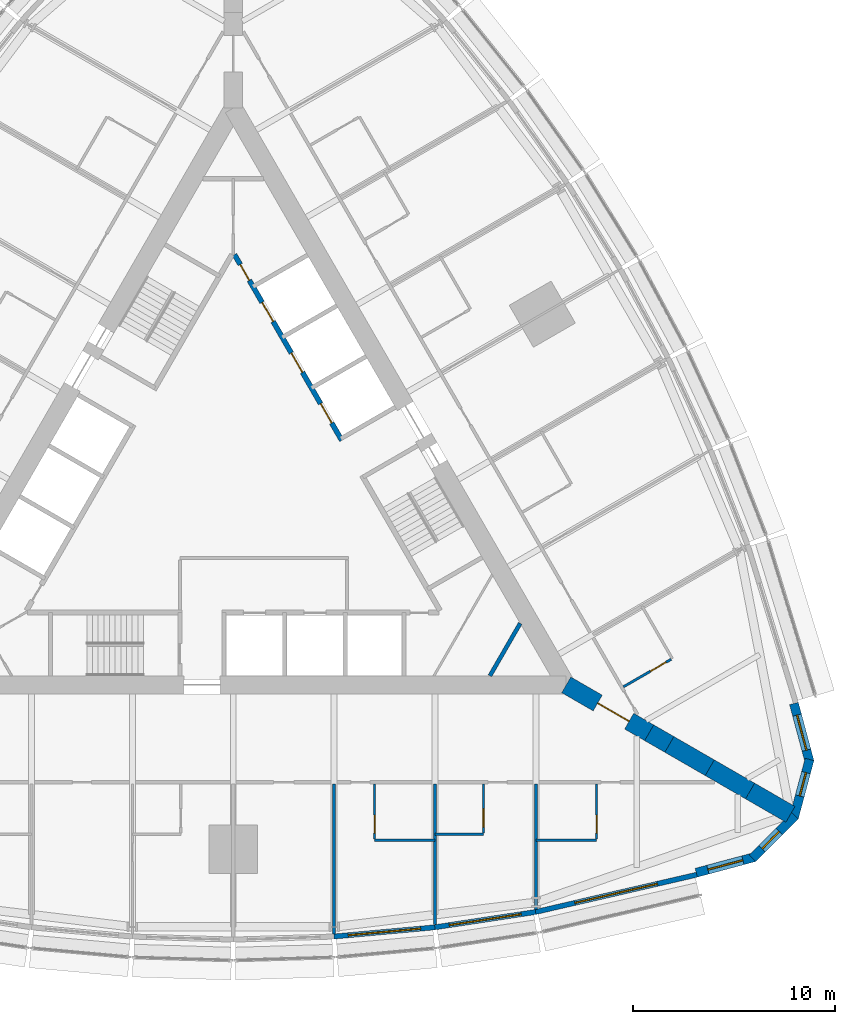
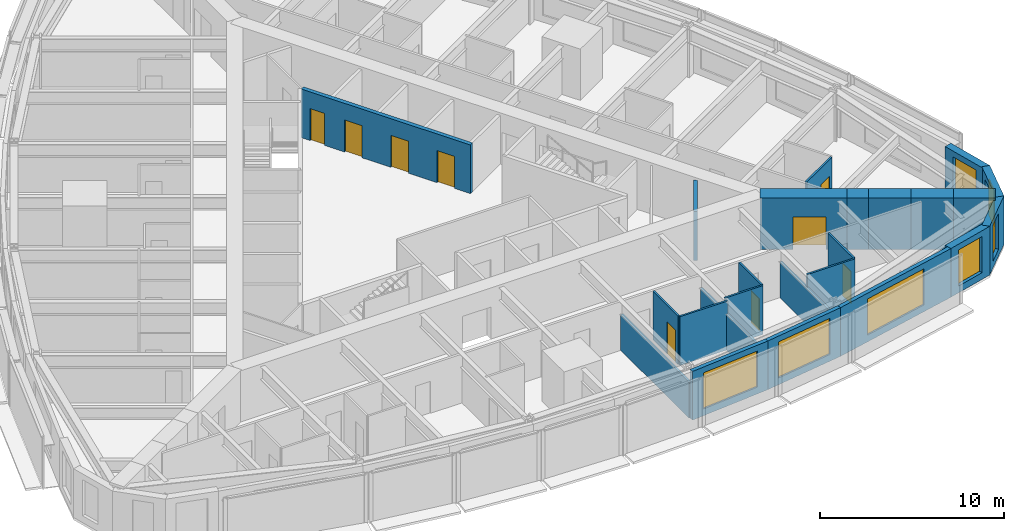
# One storey, part 10 of 14: 24 walls, 9 doors, 7 windows, 16 openings.
"""IFC4 building model written with IfcOpenShell, lengths in metres."""

import ifcopenshell
import ifcopenshell.guid

model = None  # the IFC model being written
_history = None  # IfcOwnerHistory: only IFC2X3 demands one
_inside = {}  # id of a spatial element -> (the spatial element, [elements in it])
_under = {}  # id of a project, library or spatial element -> (it, [spatial elements below it])
_declared = {}  # id of a project -> (the project, [libraries it declares])
_typed = {}  # id of a type object -> (the type object, [elements of that type])
_made_of = {}  # id of a material, layer set ... -> (it, [elements and type objects made of it])


def new_model(schema):
    """Start an empty IFC model of exactly this schema.

    Asked for "IFC4X3", IfcOpenShell would pick the latest addendum, in which some entities
    have other attributes; the version numbers below select the first issue.
    IFC2X3 requires an IfcOwnerHistory on every rooted entity: one is made here for all.
    """
    global model, _history
    if schema == "IFC4X3":
        model = ifcopenshell.file(schema_version=(4, 3, 0, 0))
    else:
        model = ifcopenshell.file(schema=schema)
    _inside.clear()
    _under.clear()
    _declared.clear()
    _typed.clear()
    _made_of.clear()
    _history = None
    if model.schema == "IFC2X3":
        org = make("IfcOrganization", Name="unknown")
        user = make(
            "IfcPersonAndOrganization",
            ThePerson=make("IfcPerson", FamilyName="unknown"),
            TheOrganization=org,
        )
        app = make(
            "IfcApplication",
            ApplicationDeveloper=org,
            Version="unknown",
            ApplicationFullName="unknown",
            ApplicationIdentifier="unknown",
        )
        _history = make(
            "IfcOwnerHistory",
            OwningUser=user,
            OwningApplication=app,
            ChangeAction="ADDED",
            CreationDate=0,
        )
    return model


def make(cls, **values):
    """One entity of the class cls with the attributes given. An attribute that is None is left unset."""
    return model.create_entity(
        cls, **{name: value for name, value in values.items() if value is not None}
    )


def rooted(cls, **values):
    """An entity with a GlobalId (a new one), such as an element, a storey or a relation."""
    return make(cls, GlobalId=ifcopenshell.guid.new(), OwnerHistory=_history, **values)


def si_unit(unit_type, name, prefix=None):
    """IfcSIUnit, for example si_unit("LENGTHUNIT", "METRE", prefix="MILLI")."""
    return make("IfcSIUnit", UnitType=unit_type, Prefix=prefix, Name=name)


def assignment(units):
    """IfcUnitAssignment: the units of a project."""
    return None if units is None else make("IfcUnitAssignment", Units=units)


def point(xyz):
    """IfcCartesianPoint."""
    return None if xyz is None else make("IfcCartesianPoint", Coordinates=xyz)


def direction(xyz):
    """IfcDirection."""
    return None if xyz is None else make("IfcDirection", DirectionRatios=xyz)


def frame(location, z_axis=None, x_axis=None):
    """IfcAxis2Placement3D, a coordinate frame: its origin and axes. An axis left out is left unset."""
    return make(
        "IfcAxis2Placement3D",
        Location=point(location),
        Axis=direction(z_axis),
        RefDirection=direction(x_axis),
    )


def frame_2d(location, x_axis=None):
    """IfcAxis2Placement2D, a coordinate frame in the plane: its origin and x axis."""
    return make(
        "IfcAxis2Placement2D", Location=point(location), RefDirection=direction(x_axis)
    )


def origin():
    """The frame at (0, 0, 0) with its axes left unset."""
    return frame((0.0, 0.0, 0.0))


def place(relative_to, where):
    """IfcLocalPlacement: puts the frame where relative to a parent placement (None: the world)."""
    return make(
        "IfcLocalPlacement", PlacementRelTo=relative_to, RelativePlacement=where
    )


def context(
    kind, dimensions, precision=None, world=None, true_north=None, identifier=None
):
    """IfcGeometricRepresentationContext, for example the 3D "Model" context."""
    return make(
        "IfcGeometricRepresentationContext",
        ContextIdentifier=identifier,
        ContextType=kind,
        CoordinateSpaceDimension=dimensions,
        Precision=precision,
        WorldCoordinateSystem=world,
        TrueNorth=true_north,
    )


def subcontext(parent, identifier, kind, view, scale=None):
    """IfcGeometricRepresentationSubContext, for example "Body" below "Model"."""
    return make(
        "IfcGeometricRepresentationSubContext",
        ContextIdentifier=identifier,
        ContextType=kind,
        ParentContext=parent,
        TargetScale=scale,
        TargetView=view,
    )


def project(units=None, contexts=None):
    """IfcProject with its units and contexts."""
    return rooted(
        "IfcProject",
        Name="project",
        RepresentationContexts=contexts,
        UnitsInContext=assignment(units),
    )


def spatial(cls, under=None, at=None, **own):
    """A site, building, storey or space (cls), placed at a placement, below another one or the project."""
    s = rooted(cls, ObjectPlacement=at, **own)
    if under is not None:
        _under.setdefault(under.id(), (under, []))[1].append(s)
    return s


def polyline(points):
    """IfcPolyline through the points."""
    return make("IfcPolyline", Points=[point(p) for p in points])


def profile(cls, at=None, kind="AREA", **sizes):
    """A parametric profile (cls). Its sizes go by their IFC names, for example OverallWidth=200.0."""
    return make(cls, ProfileType=kind, Position=at, **sizes)


def rectangle(**sizes):
    """IfcRectangleProfileDef."""
    return profile("IfcRectangleProfileDef", **sizes)


def outline(outer, holes=None, kind="AREA"):
    """IfcArbitraryClosedProfileDef: a profile drawn as a closed curve; with holes, ...WithVoids."""
    if holes is None:
        return make("IfcArbitraryClosedProfileDef", ProfileType=kind, OuterCurve=outer)
    return make(
        "IfcArbitraryProfileDefWithVoids",
        ProfileType=kind,
        OuterCurve=outer,
        InnerCurves=holes,
    )


def extrude(swept, where, along, depth):
    """IfcExtrudedAreaSolid: the profile swept, set in the frame where, extruded along a direction by depth."""
    return make(
        "IfcExtrudedAreaSolid",
        SweptArea=swept,
        Position=where,
        ExtrudedDirection=direction(along),
        Depth=depth,
    )


def shape(context_of_items, identifier, shape_type, items):
    """IfcShapeRepresentation: the items that make up one representation, for example the "Body"."""
    return make(
        "IfcShapeRepresentation",
        ContextOfItems=context_of_items,
        RepresentationIdentifier=identifier,
        RepresentationType=shape_type,
        Items=items,
    )


def material(Name=None, Category=None):
    """IfcMaterial."""
    return make("IfcMaterial", Name=Name, Category=Category)


def layer(
    of_material, thickness, ventilated=None, Name=None, Category=None, Priority=None
):
    """IfcMaterialLayer: one layer of a wall or slab, of a material (None: an air gap)."""
    return make(
        "IfcMaterialLayer",
        Material=of_material,
        LayerThickness=thickness,
        IsVentilated=ventilated,
        Name=Name,
        Category=Category,
        Priority=Priority,
    )


def layer_set(layers, Name=None):
    """IfcMaterialLayerSet."""
    return make("IfcMaterialLayerSet", MaterialLayers=layers, LayerSetName=Name)


def made_of(thing, what):
    """Note that an element or type object is made of a material, layer set ...; save() writes the relation."""
    if what is not None:
        _made_of.setdefault(what.id(), (what, []))[1].append(thing)
    return thing


def type_object(cls, material=None, **own):
    """A type object (cls), such as IfcWallType, which elements share."""
    return made_of(rooted(cls, **own), material)


def element(
    cls,
    number,
    at=None,
    inside=None,
    cuts=None,
    type_object=None,
    material=None,
    context=None,
    identifier="Body",
    shape_type=None,
    held_by="IfcProductDefinitionShape",
    body=None,
    shapes=None,
    **own,
):
    """One element of the class cls, such as IfcWall. Its Tag is "e" and its number.

    at: its placement. inside: the storey or other place that contains it. cuts: it is an
    opening in that element (IfcRelVoidsElement). A single representation is given by context,
    identifier, shape_type and body (its items); several are given by shapes. held_by: the class
    of the entity that holds the representations. save() writes the other relations.
    """
    e = rooted(cls, Tag="e%d" % number, ObjectPlacement=at, **own)
    if body is not None:
        shapes = [shape(context, identifier, shape_type, body)]
    if shapes is not None:
        e.Representation = make(held_by, Representations=shapes)
    if inside is not None:
        _inside.setdefault(inside.id(), (inside, []))[1].append(e)
    if cuts is not None:
        rooted(
            "IfcRelVoidsElement", RelatingBuildingElement=cuts, RelatedOpeningElement=e
        )
    if type_object is not None:
        _typed.setdefault(type_object.id(), (type_object, []))[1].append(e)
    return made_of(e, material)


def fill(opening, filler):
    """IfcRelFillsElement: the door or window that sits in an opening."""
    return rooted(
        "IfcRelFillsElement",
        RelatingOpeningElement=opening,
        RelatedBuildingElement=filler,
    )


def aggregate(whole, parts):
    """IfcRelAggregates: a whole, such as a stair, and the parts it consists of."""
    return rooted("IfcRelAggregates", RelatingObject=whole, RelatedObjects=parts)


def save(model, path):
    """Write the relations noted so far, then the file.

    IfcRelAggregates (storeys below a building ...), IfcRelContainedInSpatialStructure (elements
    in a storey), IfcRelDefinesByType, IfcRelAssociatesMaterial and IfcRelDeclares: one each for
    every whole, place, type object, material and project.
    """
    for whole, parts in _under.values():
        aggregate(whole, parts)
    for where, things in _inside.values():
        rooted(
            "IfcRelContainedInSpatialStructure",
            RelatedElements=things,
            RelatingStructure=where,
        )
    for kind, things in _typed.values():
        rooted("IfcRelDefinesByType", RelatedObjects=things, RelatingType=kind)
    for what, things in _made_of.values():
        rooted("IfcRelAssociatesMaterial", RelatedObjects=things, RelatingMaterial=what)
    for by, libraries in _declared.values():
        rooted("IfcRelDeclares", RelatingContext=by, RelatedDefinitions=libraries)
    model.write(path)


model = new_model("IFC4")

# Units and contexts
model_context = context("Model", 3, precision=1e-05, world=origin(), true_north=direction((0.0, 1.0)))
body_context = subcontext(model_context, "Body", "Model", "MODEL_VIEW")
ifc_project = project(units=[si_unit("LENGTHUNIT", "METRE"), si_unit("AREAUNIT", "SQUARE_METRE"), si_unit("VOLUMEUNIT", "CUBIC_METRE"), si_unit("PLANEANGLEUNIT", "RADIAN"), si_unit("MASSUNIT", "GRAM", prefix="KILO")], contexts=[model_context])

# Site, building, storey
site_placement = place(None, origin())
site = spatial("IfcSite", under=ifc_project, at=site_placement, CompositionType="ELEMENT")
building_placement = place(site_placement, origin())
building = spatial("IfcBuilding", under=site, at=building_placement, Name="Trikona Tower", CompositionType="ELEMENT")
storey_placement = place(building_placement, frame((0.0, 0.0, 69.300048828125)))
storey = spatial("IfcBuildingStorey", under=building, at=storey_placement, Name="L17", CompositionType="ELEMENT", Elevation=69.300048828125)

# Wall
ifc_material_1 = material(Name="Metal stud and cement board", Category="gypsum")
ifc_layer_1 = layer(ifc_material_1, 0.1201171875)
ifc_layer_set_1 = layer_set([ifc_layer_1], Name="Bathroom wall 120")
wall_type_1 = type_object("IfcWallType", Name="Bathroom wall 120", PredefinedType="PLUMBINGWALL", material=ifc_layer_set_1)
wall_1_placement = place(storey_placement, frame((7.0, -17.226318359375, 0.0), z_axis=(0.0, 0.0, 1.0), x_axis=(1.0, 0.0, 0.0)))
element("IfcWall", 1, at=wall_1_placement, inside=storey, type_object=wall_type_1, Name="Bathroom wall 1704", PredefinedType="PLUMBINGWALL", context=body_context, shape_type="SweptSolid", body=[
    extrude(rectangle(XDim=3.0, YDim=0.1201171875, at=frame_2d((1.5, 0.0))), origin(), (0.0, 0.0, 1.0), 3.23486328125),
])

# Wall, opening, door
wall_2_placement = place(storey_placement, frame((7.0, -14.42626953125, 0.0), z_axis=(0.0, 0.0, 1.0), x_axis=(0.0, -1.0, 0.0)))
wall_2 = element("IfcWall", 2, at=wall_2_placement, inside=storey, type_object=wall_type_1, Name="Bathroom wall 1704", PredefinedType="PLUMBINGWALL", context=body_context, shape_type="SweptSolid", body=[
    extrude(rectangle(XDim=2.739990234375, YDim=0.1201171875, at=frame_2d((1.3701171875, 0.0))), origin(), (0.0, 0.0, 1.0), 3.23486328125),
])
opening_1_placement = place(wall_2_placement, frame((1.550048828125, 0.0, 0.0)))
opening_1 = element("IfcOpeningElement", 3, at=opening_1_placement, cuts=wall_2, Name="Opening D2", PredefinedType="OPENING", context=body_context, shape_type="SweptSolid", body=[
    extrude(rectangle(XDim=0.89990234375, YDim=2.1298828125, at=frame_2d((0.449951171875, 1.06494140625))), frame((0.0, 0.070068359375, 0.0), z_axis=(0.0, -1.0, 0.0), x_axis=(1.0, 0.0, 0.0)), (0.0, 0.0, 1.0), 0.14013671875),
])
ifc_material_2 = material(Name="Steel door frame with solid-core timber leaf", Category="steel")
door_type_1 = type_object("IfcDoorType", Name="Bathroom door 900x2130", OperationType="SLIDING_TO_LEFT", PredefinedType="DOOR", material=ifc_material_2)
door_1_placement = place(opening_1_placement, origin())
door_1 = element("IfcDoor", 4, at=door_1_placement, inside=storey, type_object=door_type_1, Name="Bathroom door 1704", OperationType="SLIDING_TO_LEFT", OverallHeight=2.1298828125, OverallWidth=0.89990234375, PredefinedType="DOOR", context=body_context, shape_type="SweptSolid", body=[
    extrude(rectangle(XDim=0.89990234375, YDim=2.1298828125, at=frame_2d((0.449951171875, 1.06494140625))), frame((0.0, 0.02490234375, 0.0), z_axis=(0.0, -1.0, 0.0), x_axis=(1.0, 0.0, 0.0)), (0.0, 0.0, 1.0), 0.050048828125),
])
fill(opening_1, door_1)

# Wall
wall_3_placement = place(storey_placement, frame((10.0, -16.92626953125, 0.0), z_axis=(0.0, 0.0, 1.0), x_axis=(1.0, 0.0, 0.0)))
element("IfcWall", 5, at=wall_3_placement, inside=storey, type_object=wall_type_1, Name="Bathroom wall 1705", PredefinedType="PLUMBINGWALL", context=body_context, shape_type="SweptSolid", body=[
    extrude(rectangle(XDim=2.39990234375, YDim=0.1201171875, at=frame_2d((1.199951171875, 0.0))), origin(), (0.0, 0.0, 1.0), 3.23486328125),
])

# Wall, opening, door
wall_4_placement = place(storey_placement, frame((12.39990234375, -14.42626953125, 0.0), z_axis=(0.0, 0.0, 1.0), x_axis=(0.0, -1.0, 0.0)))
wall_4 = element("IfcWall", 6, at=wall_4_placement, inside=storey, type_object=wall_type_1, Name="Bathroom wall 1705", PredefinedType="PLUMBINGWALL", context=body_context, shape_type="SweptSolid", body=[
    extrude(rectangle(XDim=2.43994140625, YDim=0.1201171875, at=frame_2d((1.219970703125, 0.0))), origin(), (0.0, 0.0, 1.0), 3.23486328125),
])
opening_2_placement = place(wall_4_placement, frame((1.25, 0.0, 0.0)))
opening_2 = element("IfcOpeningElement", 7, at=opening_2_placement, cuts=wall_4, Name="Opening D2", PredefinedType="OPENING", context=body_context, shape_type="SweptSolid", body=[
    extrude(rectangle(XDim=0.89990234375, YDim=2.1298828125, at=frame_2d((0.449951171875, 1.06494140625))), frame((0.0, 0.070068359375, 0.0), z_axis=(0.0, -1.0, 0.0), x_axis=(1.0, 0.0, 0.0)), (0.0, 0.0, 1.0), 0.14013671875),
])
door_2_placement = place(opening_2_placement, origin())
door_2 = element("IfcDoor", 8, at=door_2_placement, inside=storey, type_object=door_type_1, Name="Bathroom door 1705", OperationType="SLIDING_TO_LEFT", OverallHeight=2.1298828125, OverallWidth=0.89990234375, PredefinedType="DOOR", context=body_context, shape_type="SweptSolid", body=[
    extrude(rectangle(XDim=0.89990234375, YDim=2.1298828125, at=frame_2d((0.449951171875, 1.06494140625))), frame((0.0, 0.02490234375, 0.0), z_axis=(0.0, -1.0, 0.0), x_axis=(1.0, 0.0, 0.0)), (0.0, 0.0, 1.0), 0.050048828125),
])
fill(opening_2, door_2)

# Wall
wall_5_placement = place(storey_placement, frame((15.0, -17.226318359375, 0.0), z_axis=(0.0, 0.0, 1.0), x_axis=(1.0, 0.0, 0.0)))
element("IfcWall", 9, at=wall_5_placement, inside=storey, type_object=wall_type_1, Name="Bathroom wall 1706", PredefinedType="PLUMBINGWALL", context=body_context, shape_type="SweptSolid", body=[
    extrude(rectangle(XDim=3.0, YDim=0.1201171875, at=frame_2d((1.5, 0.0))), origin(), (0.0, 0.0, 1.0), 3.23486328125),
])

# Wall, opening, door
wall_6_placement = place(storey_placement, frame((18.0, -14.42626953125, 0.0), z_axis=(0.0, 0.0, 1.0), x_axis=(0.0, -1.0, 0.0)))
wall_6 = element("IfcWall", 10, at=wall_6_placement, inside=storey, type_object=wall_type_1, Name="Bathroom wall 1706", PredefinedType="PLUMBINGWALL", context=body_context, shape_type="SweptSolid", body=[
    extrude(rectangle(XDim=2.739990234375, YDim=0.1201171875, at=frame_2d((1.3701171875, 0.0))), origin(), (0.0, 0.0, 1.0), 3.23486328125),
])
opening_3_placement = place(wall_6_placement, frame((1.550048828125, 0.0, 0.0)))
opening_3 = element("IfcOpeningElement", 11, at=opening_3_placement, cuts=wall_6, Name="Opening D2", PredefinedType="OPENING", context=body_context, shape_type="SweptSolid", body=[
    extrude(rectangle(XDim=0.89990234375, YDim=2.1298828125, at=frame_2d((0.449951171875, 1.06494140625))), frame((0.0, 0.070068359375, 0.0), z_axis=(0.0, -1.0, 0.0), x_axis=(1.0, 0.0, 0.0)), (0.0, 0.0, 1.0), 0.14013671875),
])
door_3_placement = place(opening_3_placement, origin())
door_3 = element("IfcDoor", 12, at=door_3_placement, inside=storey, type_object=door_type_1, Name="Bathroom door 1706", OperationType="SLIDING_TO_LEFT", OverallHeight=2.1298828125, OverallWidth=0.89990234375, PredefinedType="DOOR", context=body_context, shape_type="SweptSolid", body=[
    extrude(rectangle(XDim=0.89990234375, YDim=2.1298828125, at=frame_2d((0.449951171875, 1.06494140625))), frame((0.0, 0.02490234375, 0.0), z_axis=(0.0, -1.0, 0.0), x_axis=(1.0, 0.0, 0.0)), (0.0, 0.0, 1.0), 0.050048828125),
])
fill(opening_3, door_3)

wall_7_placement = place(storey_placement, frame((19.32861328125, -9.625244140625, 0.0), z_axis=(0.0, 0.0, 1.0), x_axis=(0.866035715982, 0.499982138324, 0.0)))
wall_7 = element("IfcWall", 13, at=wall_7_placement, inside=storey, type_object=wall_type_1, Name="Bathroom wall 1707", PredefinedType="PLUMBINGWALL", context=body_context, shape_type="SweptSolid", body=[
    extrude(rectangle(XDim=2.73974609375, YDim=0.1201171875, at=frame_2d((1.369873046875, 0.0))), origin(), (0.0, 0.0, 1.0), 3.23486328125),
])
opening_4_placement = place(wall_7_placement, frame((1.550048828125, 0.0, 0.0)))
opening_4 = element("IfcOpeningElement", 14, at=opening_4_placement, cuts=wall_7, Name="Opening D2", PredefinedType="OPENING", context=body_context, shape_type="SweptSolid", body=[
    extrude(rectangle(XDim=0.89990234375, YDim=2.1298828125, at=frame_2d((0.449951171875, 1.06494140625))), frame((0.0, 0.070068359375, 0.0), z_axis=(0.0, -1.0, 0.0), x_axis=(1.0, 0.0, 0.0)), (0.0, 0.0, 1.0), 0.14013671875),
])
door_4_placement = place(opening_4_placement, origin())
door_4 = element("IfcDoor", 15, at=door_4_placement, inside=storey, type_object=door_type_1, Name="Bathroom door 1707", OperationType="SLIDING_TO_LEFT", OverallHeight=2.1298828125, OverallWidth=0.89990234375, PredefinedType="DOOR", context=body_context, shape_type="SweptSolid", body=[
    extrude(rectangle(XDim=0.89990234375, YDim=2.1298828125, at=frame_2d((0.449951171875, 1.06494140625))), frame((0.0, 0.02490234375, 0.0), z_axis=(0.0, -1.0, 0.0), x_axis=(1.0, 0.0, 0.0)), (0.0, 0.0, 1.0), 0.050048828125),
])
fill(opening_4, door_4)

# Wall, opening, window
ifc_material_3 = material(Name="Brick-faced precast concrete", Category="masonry")
ifc_layer_2 = layer(ifc_material_3, 0.449951171875)
ifc_layer_set_2 = layer_set([ifc_layer_2], Name="Brick-faced corner wall 450")
wall_type_2 = type_object("IfcWallType", Name="Brick-faced corner wall 450", PredefinedType="SOLIDWALL", material=ifc_layer_set_2)
wall_8_placement = place(storey_placement, frame((22.94189453125, -18.835205078125, 0.0), z_axis=(0.0, 0.0, 1.0), x_axis=(0.965930548995, 0.258801419081, 0.0)))
wall_8 = element("IfcWall", 16, at=wall_8_placement, inside=storey, type_object=wall_type_2, Name="External wall L17-08", PredefinedType="SOLIDWALL", context=body_context, shape_type="SweptSolid", body=[
    extrude(rectangle(XDim=2.988525390625, YDim=0.449951171875, at=frame_2d((1.494140625, 0.0))), origin(), (0.0, 0.0, 1.0), 3.23486328125),
])
opening_5_placement = place(wall_8_placement, frame((0.59423828125, 0.0, 0.449951171875)))
opening_5 = element("IfcOpeningElement", 17, at=opening_5_placement, cuts=wall_8, Name="Opening W1824", PredefinedType="OPENING", context=body_context, shape_type="SweptSolid", body=[
    extrude(rectangle(XDim=1.800048828125, YDim=2.39990234375, at=frame_2d((0.89990234375, 1.199951171875))), frame((0.0, 0.23486328125, 0.0), z_axis=(0.0, -1.0, 0.0), x_axis=(1.0, 0.0, 0.0)), (0.0, 0.0, 1.0), 0.469970703125),
])
ifc_material_4 = material(Name="Aluminium-framed double glazing", Category="aluminium")
window_type_1 = type_object("IfcWindowType", Name="Window 1800x2400", PartitioningType="SINGLE_PANEL", PredefinedType="WINDOW", material=ifc_material_4)
window_1_placement = place(opening_5_placement, origin())
window_1 = element("IfcWindow", 18, at=window_1_placement, inside=storey, type_object=window_type_1, Name="Window 1706", OverallHeight=2.39990234375, OverallWidth=1.800048828125, PartitioningType="SINGLE_PANEL", PredefinedType="WINDOW", context=body_context, shape_type="SweptSolid", body=[
    extrude(rectangle(XDim=1.800048828125, YDim=2.39990234375, at=frame_2d((0.89990234375, 1.199951171875))), frame((0.0, 0.030029296875, 0.0), z_axis=(0.0, -1.0, 0.0), x_axis=(1.0, 0.0, 0.0)), (0.0, 0.0, 1.0), 0.06005859375),
])
fill(opening_5, window_1)

wall_9_placement = place(storey_placement, frame((25.727783203125, -18.1201171875, 0.0), z_axis=(0.0, 0.0, 1.0), x_axis=(0.707025086683, 0.707188466253, 0.0)))
wall_9 = element("IfcWall", 19, at=wall_9_placement, inside=storey, type_object=wall_type_2, Name="External wall L17-09", PredefinedType="SOLIDWALL", context=body_context, shape_type="SweptSolid", body=[
    extrude(outline(polyline([(2.988525390625, 0.22509765625), (2.929931640625, 0.22509765625), (2.4375, 0.093017578125), (2.402099609375, 0.22509765625), (0.0, 0.22509765625), (0.0, -0.22509765625), (2.988525390625, -0.22509765625), (2.988525390625, 0.22509765625)])), origin(), (0.0, 0.0, 1.0), 3.23486328125),
])
opening_6_placement = place(wall_9_placement, frame((0.676025390625, 0.0, 0.449951171875)))
opening_6 = element("IfcOpeningElement", 20, at=opening_6_placement, cuts=wall_9, Name="Opening W1224", PredefinedType="OPENING", context=body_context, shape_type="SweptSolid", body=[
    extrude(rectangle(XDim=1.199951171875, YDim=2.39990234375, at=frame_2d((0.60009765625, 1.199951171875))), frame((0.0, 0.23486328125, 0.0), z_axis=(0.0, -1.0, 0.0), x_axis=(1.0, 0.0, 0.0)), (0.0, 0.0, 1.0), 0.469970703125),
])
ifc_material_5 = material(Name="Aluminium-framed double glazing", Category="aluminium")
window_type_2 = type_object("IfcWindowType", Name="Window 1200x2400", PartitioningType="SINGLE_PANEL", PredefinedType="WINDOW", material=ifc_material_5)
window_2_placement = place(opening_6_placement, origin())
window_2 = element("IfcWindow", 21, at=window_2_placement, inside=storey, type_object=window_type_2, Name="Window 1706", OverallHeight=2.39990234375, OverallWidth=1.199951171875, PartitioningType="SINGLE_PANEL", PredefinedType="WINDOW", context=body_context, shape_type="SweptSolid", body=[
    extrude(rectangle(XDim=1.199951171875, YDim=2.39990234375, at=frame_2d((0.60009765625, 1.199951171875))), frame((0.0, 0.030029296875, 0.0), z_axis=(0.0, -1.0, 0.0), x_axis=(1.0, 0.0, 0.0)), (0.0, 0.0, 1.0), 0.06005859375),
])
fill(opening_6, window_2)

wall_10_placement = place(storey_placement, frame((27.78271484375, -16.107666015625, 0.0), z_axis=(0.0, 0.0, 1.0), x_axis=(0.258801419081, 0.965930548995, 0.0)))
wall_10 = element("IfcWall", 22, at=wall_10_placement, inside=storey, type_object=wall_type_2, Name="External wall L17-10", PredefinedType="SOLIDWALL", context=body_context, shape_type="SweptSolid", body=[
    extrude(outline(polyline([(2.988525390625, 0.22509765625), (0.58642578125, 0.22509765625), (0.55126953125, 0.09326171875), (0.0595703125, 0.22509765625), (0.0, 0.22509765625), (0.0, -0.22509765625), (2.988525390625, -0.22509765625), (2.988525390625, 0.22509765625)])), origin(), (0.0, 0.0, 1.0), 3.23486328125),
])
opening_7_placement = place(wall_10_placement, frame((1.112548828125, 0.0, 0.449951171875)))
opening_7 = element("IfcOpeningElement", 23, at=opening_7_placement, cuts=wall_10, Name="Opening W1224", PredefinedType="OPENING", context=body_context, shape_type="SweptSolid", body=[
    extrude(rectangle(XDim=1.199951171875, YDim=2.39990234375, at=frame_2d((0.60009765625, 1.199951171875))), frame((0.0, 0.23486328125, 0.0), z_axis=(0.0, -1.0, 0.0), x_axis=(1.0, 0.0, 0.0)), (0.0, 0.0, 1.0), 0.469970703125),
])
window_3_placement = place(opening_7_placement, origin())
window_3 = element("IfcWindow", 24, at=window_3_placement, inside=storey, type_object=window_type_2, Name="Window 1707", OverallHeight=2.39990234375, OverallWidth=1.199951171875, PartitioningType="SINGLE_PANEL", PredefinedType="WINDOW", context=body_context, shape_type="SweptSolid", body=[
    extrude(rectangle(XDim=1.199951171875, YDim=2.39990234375, at=frame_2d((0.60009765625, 1.199951171875))), frame((0.0, 0.030029296875, 0.0), z_axis=(0.0, -1.0, 0.0), x_axis=(1.0, 0.0, 0.0)), (0.0, 0.0, 1.0), 0.06005859375),
])
fill(opening_7, window_3)

wall_11_placement = place(storey_placement, frame((28.55615234375, -13.33740234375, 0.0), z_axis=(0.0, 0.0, 1.0), x_axis=(-0.258780998834, 0.965936019953, 0.0)))
wall_11 = element("IfcWall", 25, at=wall_11_placement, inside=storey, type_object=wall_type_2, Name="External wall L17-11", PredefinedType="SOLIDWALL", context=body_context, shape_type="SweptSolid", body=[
    extrude(rectangle(XDim=2.98876953125, YDim=0.449951171875, at=frame_2d((1.494384765625, 0.0))), origin(), (0.0, 0.0, 1.0), 3.23486328125),
])
opening_8_placement = place(wall_11_placement, frame((0.59423828125, 0.0, 0.449951171875)))
opening_8 = element("IfcOpeningElement", 26, at=opening_8_placement, cuts=wall_11, Name="Opening W1824", PredefinedType="OPENING", context=body_context, shape_type="SweptSolid", body=[
    extrude(rectangle(XDim=1.800048828125, YDim=2.39990234375, at=frame_2d((0.89990234375, 1.199951171875))), frame((0.0, 0.23486328125, 0.0), z_axis=(0.0, -1.0, 0.0), x_axis=(1.0, 0.0, 0.0)), (0.0, 0.0, 1.0), 0.469970703125),
])
window_4_placement = place(opening_8_placement, origin())
window_4 = element("IfcWindow", 27, at=window_4_placement, inside=storey, type_object=window_type_1, Name="Window 1707", OverallHeight=2.39990234375, OverallWidth=1.800048828125, PartitioningType="SINGLE_PANEL", PredefinedType="WINDOW", context=body_context, shape_type="SweptSolid", body=[
    extrude(rectangle(XDim=1.800048828125, YDim=2.39990234375, at=frame_2d((0.89990234375, 1.199951171875))), frame((0.0, 0.030029296875, 0.0), z_axis=(0.0, -1.0, 0.0), x_axis=(1.0, 0.0, 0.0)), (0.0, 0.0, 1.0), 0.06005859375),
])
fill(opening_8, window_4)

# Wall, opening, door
ifc_material_6 = material(Name="Concrete f'c 10000 psi", Category="concrete")
ifc_layer_3 = layer(ifc_material_6, 0.89990234375)
ifc_layer_set_3 = layer_set([ifc_layer_3], Name="Buttress wall 900")
wall_type_3 = type_object("IfcWallType", Name="Buttress wall 900", PredefinedType="SHEAR", material=ifc_layer_set_3)
wall_12_placement = place(storey_placement, frame((16.5, -9.5263671875, 0.0), z_axis=(0.0, 0.0, 1.0), x_axis=(0.866031398331, -0.499989616998, 0.0)))
wall_12 = element("IfcWall", 28, at=wall_12_placement, inside=storey, type_object=wall_type_3, Name="Buttress wall 1", PredefinedType="SHEAR", context=body_context, shape_type="SweptSolid", body=[
    extrude(rectangle(XDim=4.74609375, YDim=0.89990234375, at=frame_2d((2.373046875, 0.0))), origin(), (0.0, 0.0, 1.0), 3.39990234375),
])
opening_9_placement = place(wall_12_placement, frame((1.800048828125, 0.0, 0.0)))
opening_9 = element("IfcOpeningElement", 29, at=opening_9_placement, cuts=wall_12, Name="Opening D10", PredefinedType="OPENING", context=body_context, shape_type="SweptSolid", body=[
    extrude(rectangle(XDim=1.800048828125, YDim=2.1298828125, at=frame_2d((0.89990234375, 1.06494140625))), frame((0.0, 0.4599609375, 0.0), z_axis=(0.0, -1.0, 0.0), x_axis=(1.0, 0.0, 0.0)), (0.0, 0.0, 1.0), 0.919921875),
])
ifc_material_7 = material(Name="Hollow metal door and frame", Category="steel")
door_type_2 = type_object("IfcDoorType", Name="Cross-corridor door pair 1800x2130", OperationType="DOUBLE_DOOR_DOUBLE_SWING", PredefinedType="DOOR", material=ifc_material_7)
door_5_placement = place(opening_9_placement, origin())
door_5 = element("IfcDoor", 30, at=door_5_placement, inside=storey, type_object=door_type_2, Name="Cross-corridor door 1", OperationType="DOUBLE_DOOR_DOUBLE_SWING", OverallHeight=2.1298828125, OverallWidth=1.800048828125, PredefinedType="DOOR", context=body_context, shape_type="SweptSolid", body=[
    extrude(rectangle(XDim=1.800048828125, YDim=2.1298828125, at=frame_2d((0.89990234375, 1.06494140625))), frame((0.0, 0.02490234375, 0.0), z_axis=(0.0, -1.0, 0.0), x_axis=(1.0, 0.0, 0.0)), (0.0, 0.0, 1.0), 0.050048828125),
])
fill(opening_9, door_5)

# Walls
wall_13_placement = place(storey_placement, frame((20.6103515625, -11.8994140625, 0.0), z_axis=(0.0, 0.0, 1.0), x_axis=(0.866009537788, -0.500027479704, 0.0)))
element("IfcWall", 31, at=wall_13_placement, inside=storey, type_object=wall_type_3, Name="Buttress wall 1 part 2", PredefinedType="SHEAR", context=body_context, shape_type="SweptSolid", body=[
    extrude(rectangle(XDim=1.15478515625, YDim=0.89990234375, at=frame_2d((0.577392578125, 0.0))), origin(), (0.0, 0.0, 1.0), 3.39990234375),
])
for number, where, z_axis, x_axis, name in (
    (32, (21.6103515625, -12.476806640625, 0.0), (0.0, 0.0, 1.0), (0.866055313784, -0.499948190782, 0.0), "Buttress wall 1 part 3"),
    (33, (23.6103515625, -13.63134765625, 0.0), (0.0, 0.0, 1.0), (0.866009537788, -0.500027479704, 0.0), "Buttress wall 1 part 4"),
    (34, (25.6103515625, -14.7861328125, 0.0), (0.0, 0.0, 1.0), (0.866009537788, -0.500027479704, 0.0), "Buttress wall 1 part 5"),
):
    element("IfcWall", number, at=place(storey_placement, frame(where, z_axis=z_axis, x_axis=x_axis)), inside=storey, type_object=wall_type_3, Name=name, PredefinedType="SHEAR", context=body_context, shape_type="SweptSolid", body=[
        extrude(rectangle(XDim=2.309326171875, YDim=0.89990234375, at=frame_2d((1.15478515625, 0.0))), origin(), (0.0, 0.0, 1.0), 3.39990234375),
    ])

# Wall, openings, doors
ifc_material_8 = material(Name="Concrete f'c 8000 psi", Category="concrete")
ifc_layer_4 = layer(ifc_material_8, 0.25)
ifc_layer_set_4 = layer_set([ifc_layer_4], Name="Hub wall 250")
wall_type_4 = type_object("IfcWallType", Name="Hub wall 250", PredefinedType="SOLIDWALL", material=ifc_layer_set_4)
wall_14_placement = place(storey_placement, frame((5.37890625, 2.5859375, 0.0), z_axis=(0.0, 0.0, 1.0), x_axis=(-0.500001375892, 0.866024609411, 0.0)))
wall_14 = element("IfcWall", 35, at=wall_14_placement, inside=storey, type_object=wall_type_4, Name="Lift lobby wall B2", PredefinedType="SOLIDWALL", context=body_context, shape_type="SweptSolid", body=[
    extrude(rectangle(XDim=10.6328125, YDim=0.25, at=frame_2d((5.31640625, 0.0))), origin(), (0.0, 0.0, 1.0), 3.23486328125),
])
opening_10_placement = place(wall_14_placement, frame((9.1640625, 0.0, 0.0)))
opening_10 = element("IfcOpeningElement", 36, at=opening_10_placement, cuts=wall_14, Name="Opening D14", PredefinedType="OPENING", context=body_context, shape_type="SweptSolid", body=[
    extrude(rectangle(XDim=0.89990234375, YDim=2.1298828125, at=frame_2d((0.449951171875, 1.06494140625))), frame((0.0, 0.135009765625, 0.0), z_axis=(0.0, -1.0, 0.0), x_axis=(1.0, 0.0, 0.0)), (0.0, 0.0, 1.0), 0.27001953125),
])
opening_11_placement = place(wall_14_placement, frame((1.0, 0.0, 0.0)))
opening_11 = element("IfcOpeningElement", 37, at=opening_11_placement, cuts=wall_14, Name="Opening LD", PredefinedType="OPENING", context=body_context, shape_type="SweptSolid", body=[
    extrude(rectangle(XDim=1.10009765625, YDim=2.1298828125, at=frame_2d((0.550048828125, 1.06494140625))), frame((0.0, 0.135009765625, 0.0), z_axis=(0.0, -1.0, 0.0), x_axis=(1.0, 0.0, 0.0)), (0.0, 0.0, 1.0), 0.27001953125),
])
opening_12_placement = place(wall_14_placement, frame((3.89990234375, 0.0, 0.0)))
opening_12 = element("IfcOpeningElement", 38, at=opening_12_placement, cuts=wall_14, Name="Opening LD", PredefinedType="OPENING", context=body_context, shape_type="SweptSolid", body=[
    extrude(rectangle(XDim=1.10009765625, YDim=2.1298828125, at=frame_2d((0.550048828125, 1.06494140625))), frame((0.0, 0.135009765625, 0.0), z_axis=(0.0, -1.0, 0.0), x_axis=(1.0, 0.0, 0.0)), (0.0, 0.0, 1.0), 0.27001953125),
])
opening_13_placement = place(wall_14_placement, frame((6.800048828125, 0.0, 0.0)))
opening_13 = element("IfcOpeningElement", 39, at=opening_13_placement, cuts=wall_14, Name="Opening LD", PredefinedType="OPENING", context=body_context, shape_type="SweptSolid", body=[
    extrude(rectangle(XDim=1.10009765625, YDim=2.1298828125, at=frame_2d((0.550048828125, 1.06494140625))), frame((0.0, 0.135009765625, 0.0), z_axis=(0.0, -1.0, 0.0), x_axis=(1.0, 0.0, 0.0)), (0.0, 0.0, 1.0), 0.27001953125),
])
ifc_material_9 = material(Name="Stainless steel lift landing door", Category="steel")
door_type_3 = type_object("IfcDoorType", Name="Lift landing door 1100x2130", OperationType="DOUBLE_DOOR_SLIDING", PredefinedType="USERDEFINED", material=ifc_material_9)
door_6_placement = place(opening_11_placement, origin())
door_6 = element("IfcDoor", 40, at=door_6_placement, inside=storey, type_object=door_type_3, Name="Lift landing door L1-1", ObjectType="LIFT LANDING DOOR", OperationType="DOUBLE_DOOR_SLIDING", OverallHeight=2.1298828125, OverallWidth=1.10009765625, PredefinedType="USERDEFINED", context=body_context, shape_type="SweptSolid", body=[
    extrude(rectangle(XDim=1.10009765625, YDim=2.1298828125, at=frame_2d((0.550048828125, 1.06494140625))), frame((0.0, 0.02490234375, 0.0), z_axis=(0.0, -1.0, 0.0), x_axis=(1.0, 0.0, 0.0)), (0.0, 0.0, 1.0), 0.050048828125),
])
fill(opening_11, door_6)
door_7_placement = place(opening_12_placement, origin())
door_7 = element("IfcDoor", 41, at=door_7_placement, inside=storey, type_object=door_type_3, Name="Lift landing door L1-2", ObjectType="LIFT LANDING DOOR", OperationType="DOUBLE_DOOR_SLIDING", OverallHeight=2.1298828125, OverallWidth=1.10009765625, PredefinedType="USERDEFINED", context=body_context, shape_type="SweptSolid", body=[
    extrude(rectangle(XDim=1.10009765625, YDim=2.1298828125, at=frame_2d((0.550048828125, 1.06494140625))), frame((0.0, 0.02490234375, 0.0), z_axis=(0.0, -1.0, 0.0), x_axis=(1.0, 0.0, 0.0)), (0.0, 0.0, 1.0), 0.050048828125),
])
fill(opening_12, door_7)
door_8_placement = place(opening_13_placement, origin())
door_8 = element("IfcDoor", 42, at=door_8_placement, inside=storey, type_object=door_type_3, Name="Lift landing door L1-3", ObjectType="LIFT LANDING DOOR", OperationType="DOUBLE_DOOR_SLIDING", OverallHeight=2.1298828125, OverallWidth=1.10009765625, PredefinedType="USERDEFINED", context=body_context, shape_type="SweptSolid", body=[
    extrude(rectangle(XDim=1.10009765625, YDim=2.1298828125, at=frame_2d((0.550048828125, 1.06494140625))), frame((0.0, 0.02490234375, 0.0), z_axis=(0.0, -1.0, 0.0), x_axis=(1.0, 0.0, 0.0)), (0.0, 0.0, 1.0), 0.050048828125),
])
fill(opening_13, door_8)
ifc_material_10 = material(Name="Hollow metal door and frame", Category="steel")
door_type_4 = type_object("IfcDoorType", Name="Service room door 900x2130", OperationType="SINGLE_SWING_LEFT", PredefinedType="DOOR", material=ifc_material_10)
door_9_placement = place(opening_10_placement, origin())
door_9 = element("IfcDoor", 43, at=door_9_placement, inside=storey, type_object=door_type_4, Name="Door Housekeeping store HKS", OperationType="SINGLE_SWING_RIGHT", OverallHeight=2.1298828125, OverallWidth=0.89990234375, PredefinedType="DOOR", context=body_context, shape_type="SweptSolid", body=[
    extrude(rectangle(XDim=0.89990234375, YDim=2.1298828125, at=frame_2d((0.449951171875, 1.06494140625))), frame((0.0, 0.02490234375, 0.0), z_axis=(0.0, -1.0, 0.0), x_axis=(1.0, 0.0, 0.0)), (0.0, 0.0, 1.0), 0.050048828125),
])
fill(opening_10, door_9)

# Wall, opening, window
ifc_material_11 = material(Name="Insulated precast concrete spandrel panel", Category="concrete")
ifc_layer_5 = layer(ifc_material_11, 0.25)
ifc_layer_set_5 = layer_set([ifc_layer_5], Name="Inner skin wall 250")
wall_type_5 = type_object("IfcWallType", Name="Inner skin wall 250", PredefinedType="STANDARD", material=ifc_layer_set_5)
wall_15_placement = place(storey_placement, frame((4.988525390625, -21.995849609375, 0.0), z_axis=(0.0, 0.0, 1.0), x_axis=(0.995857256774, 0.090930325692, 0.0)))
wall_15 = element("IfcWall", 44, at=wall_15_placement, inside=storey, type_object=wall_type_5, Name="External wall L17-05", PredefinedType="STANDARD", context=body_context, shape_type="SweptSolid", body=[
    extrude(rectangle(XDim=5.020751953125, YDim=0.25, at=frame_2d((2.51025390625, 0.0))), origin(), (0.0, 0.0, 1.0), 3.23486328125),
])
opening_14_placement = place(wall_15_placement, frame((0.71044921875, 0.0, 0.449951171875)))
opening_14 = element("IfcOpeningElement", 45, at=opening_14_placement, cuts=wall_15, Name="Opening W3624", PredefinedType="OPENING", context=body_context, shape_type="SweptSolid", body=[
    extrude(rectangle(XDim=3.60009765625, YDim=2.39990234375, at=frame_2d((1.800048828125, 1.199951171875))), frame((0.0, 0.135009765625, 0.0), z_axis=(0.0, -1.0, 0.0), x_axis=(1.0, 0.0, 0.0)), (0.0, 0.0, 1.0), 0.27001953125),
])
ifc_material_12 = material(Name="Aluminium-framed double glazing", Category="aluminium")
window_type_3 = type_object("IfcWindowType", Name="Window 3600x2400", PartitioningType="SINGLE_PANEL", PredefinedType="WINDOW", material=ifc_material_12)
window_5_placement = place(opening_14_placement, origin())
window_5 = element("IfcWindow", 46, at=window_5_placement, inside=storey, type_object=window_type_3, Name="Window 1704", OverallHeight=2.39990234375, OverallWidth=3.60009765625, PartitioningType="SINGLE_PANEL", PredefinedType="WINDOW", context=body_context, shape_type="SweptSolid", body=[
    extrude(rectangle(XDim=3.60009765625, YDim=2.39990234375, at=frame_2d((1.800048828125, 1.199951171875))), frame((0.0, 0.030029296875, 0.0), z_axis=(0.0, -1.0, 0.0), x_axis=(1.0, 0.0, 0.0)), (0.0, 0.0, 1.0), 0.06005859375),
])
fill(opening_14, window_5)

wall_16_placement = place(storey_placement, frame((9.981201171875, -21.540283203125, 0.0), z_axis=(0.0, 0.0, 1.0), x_axis=(0.988615403399, 0.150464561152, 0.0)))
wall_16 = element("IfcWall", 47, at=wall_16_placement, inside=storey, type_object=wall_type_5, Name="External wall L17-06", PredefinedType="STANDARD", context=body_context, shape_type="SweptSolid", body=[
    extrude(rectangle(XDim=5.0576171875, YDim=0.25, at=frame_2d((2.52880859375, 0.0))), origin(), (0.0, 0.0, 1.0), 3.23486328125),
])
opening_15_placement = place(wall_16_placement, frame((0.728759765625, 0.0, 0.449951171875)))
opening_15 = element("IfcOpeningElement", 48, at=opening_15_placement, cuts=wall_16, Name="Opening W3624", PredefinedType="OPENING", context=body_context, shape_type="SweptSolid", body=[
    extrude(rectangle(XDim=3.60009765625, YDim=2.39990234375, at=frame_2d((1.800048828125, 1.199951171875))), frame((0.0, 0.135009765625, 0.0), z_axis=(0.0, -1.0, 0.0), x_axis=(1.0, 0.0, 0.0)), (0.0, 0.0, 1.0), 0.27001953125),
])
window_6_placement = place(opening_15_placement, origin())
window_6 = element("IfcWindow", 49, at=window_6_placement, inside=storey, type_object=window_type_3, Name="Window 1705", OverallHeight=2.39990234375, OverallWidth=3.60009765625, PartitioningType="SINGLE_PANEL", PredefinedType="WINDOW", context=body_context, shape_type="SweptSolid", body=[
    extrude(rectangle(XDim=3.60009765625, YDim=2.39990234375, at=frame_2d((1.800048828125, 1.199951171875))), frame((0.0, 0.030029296875, 0.0), z_axis=(0.0, -1.0, 0.0), x_axis=(1.0, 0.0, 0.0)), (0.0, 0.0, 1.0), 0.06005859375),
])
fill(opening_15, window_6)

wall_17_placement = place(storey_placement, frame((14.9716796875, -20.78125, 0.0), z_axis=(0.0, 0.0, 1.0), x_axis=(0.974279327392, 0.225343720163, 0.0)))
wall_17 = element("IfcWall", 50, at=wall_17_placement, inside=storey, type_object=wall_type_5, Name="External wall L17-07", PredefinedType="STANDARD", context=body_context, shape_type="SweptSolid", body=[
    extrude(rectangle(XDim=8.211181640625, YDim=0.25, at=frame_2d((4.10546875, 0.0))), origin(), (0.0, 0.0, 1.0), 3.23486328125),
])
opening_16_placement = place(wall_17_placement, frame((2.005615234375, 0.0, 0.449951171875)))
opening_16 = element("IfcOpeningElement", 51, at=opening_16_placement, cuts=wall_17, Name="Opening W4224", PredefinedType="OPENING", context=body_context, shape_type="SweptSolid", body=[
    extrude(rectangle(XDim=4.199951171875, YDim=2.39990234375, at=frame_2d((2.10009765625, 1.199951171875))), frame((0.0, 0.135009765625, 0.0), z_axis=(0.0, -1.0, 0.0), x_axis=(1.0, 0.0, 0.0)), (0.0, 0.0, 1.0), 0.27001953125),
])
ifc_material_13 = material(Name="Aluminium-framed double glazing", Category="aluminium")
window_type_4 = type_object("IfcWindowType", Name="Window 4200x2400", PartitioningType="SINGLE_PANEL", PredefinedType="WINDOW", material=ifc_material_13)
window_7_placement = place(opening_16_placement, origin())
window_7 = element("IfcWindow", 52, at=window_7_placement, inside=storey, type_object=window_type_4, Name="Window 1706", OverallHeight=2.39990234375, OverallWidth=4.199951171875, PartitioningType="SINGLE_PANEL", PredefinedType="WINDOW", context=body_context, shape_type="SweptSolid", body=[
    extrude(rectangle(XDim=4.199951171875, YDim=2.39990234375, at=frame_2d((2.10009765625, 1.199951171875))), frame((0.0, 0.030029296875, 0.0), z_axis=(0.0, -1.0, 0.0), x_axis=(1.0, 0.0, 0.0)), (0.0, 0.0, 1.0), 0.06005859375),
])
fill(opening_16, window_7)

# Walls
ifc_material_14 = material(Name="Metal stud and gypsum board, 1-hour acoustic", Category="gypsum")
ifc_layer_6 = layer(ifc_material_14, 0.14990234375)
ifc_layer_set_6 = layer_set([ifc_layer_6], Name="Party wall 150")
wall_type_6 = type_object("IfcWallType", Name="Party wall 150", PredefinedType="PARTITIONING", material=ifc_layer_set_6)
wall_18_placement = place(storey_placement, frame((5.0, -14.42626953125, 0.0), z_axis=(0.0, 0.0, 1.0), x_axis=(0.0, -1.0, 0.0)))
element("IfcWall", 53, at=wall_18_placement, inside=storey, type_object=wall_type_6, Name="Partition L17 F1 u5", PredefinedType="PARTITIONING", context=body_context, shape_type="SweptSolid", body=[
    extrude(rectangle(XDim=7.443115234375, YDim=0.14990234375, at=frame_2d((3.7216796875, 0.0))), origin(), (0.0, 0.0, 1.0), 2.38916015625),
])
wall_19_placement = place(storey_placement, frame((10.0, -14.42626953125, 0.0), z_axis=(0.0, 0.0, 1.0), x_axis=(0.0, -1.0, 0.0)))
element("IfcWall", 54, at=wall_19_placement, inside=storey, type_object=wall_type_6, Name="Partition L17 F1 u10", PredefinedType="PARTITIONING", context=body_context, shape_type="SweptSolid", body=[
    extrude(rectangle(XDim=6.984619140625, YDim=0.14990234375, at=frame_2d((3.4921875, 0.0))), origin(), (0.0, 0.0, 1.0), 2.38916015625),
])
wall_20_placement = place(storey_placement, frame((15.0, -14.42626953125, 0.0), z_axis=(0.0, 0.0, 1.0), x_axis=(0.0, -1.0, 0.0)))
element("IfcWall", 55, at=wall_20_placement, inside=storey, type_object=wall_type_6, Name="Partition L17 F1 u15", PredefinedType="PARTITIONING", context=body_context, shape_type="SweptSolid", body=[
    extrude(rectangle(XDim=6.22021484375, YDim=0.14990234375, at=frame_2d((3.110107421875, 0.0))), origin(), (0.0, 0.0, 1.0), 2.38916015625),
])
ifc_material_15 = material(Name="Concrete f'c 8000 psi", Category="concrete")
ifc_layer_7 = layer(ifc_material_15, 0.199951171875)
ifc_layer_set_7 = layer_set([ifc_layer_7], Name="Shaft wall 200")
wall_type_7 = type_object("IfcWallType", Name="Shaft wall 200", PredefinedType="SOLIDWALL", material=ifc_layer_set_7)
wall_21_placement = place(storey_placement, frame((14.219482421875, -6.476318359375, 0.0), z_axis=(0.0, 0.0, 1.0), x_axis=(-0.499952404951, -0.866052881055, 0.0)))
element("IfcWall", 56, at=wall_21_placement, inside=storey, type_object=wall_type_7, Name="Riser wall L17-RS1", PredefinedType="SOLIDWALL", context=body_context, shape_type="SweptSolid", body=[
    extrude(rectangle(XDim=3.002197265625, YDim=0.199951171875, at=frame_2d((1.5009765625, 0.0))), origin(), (0.0, 0.0, 1.0), 3.23486328125),
])

save(model, "model.ifc")
